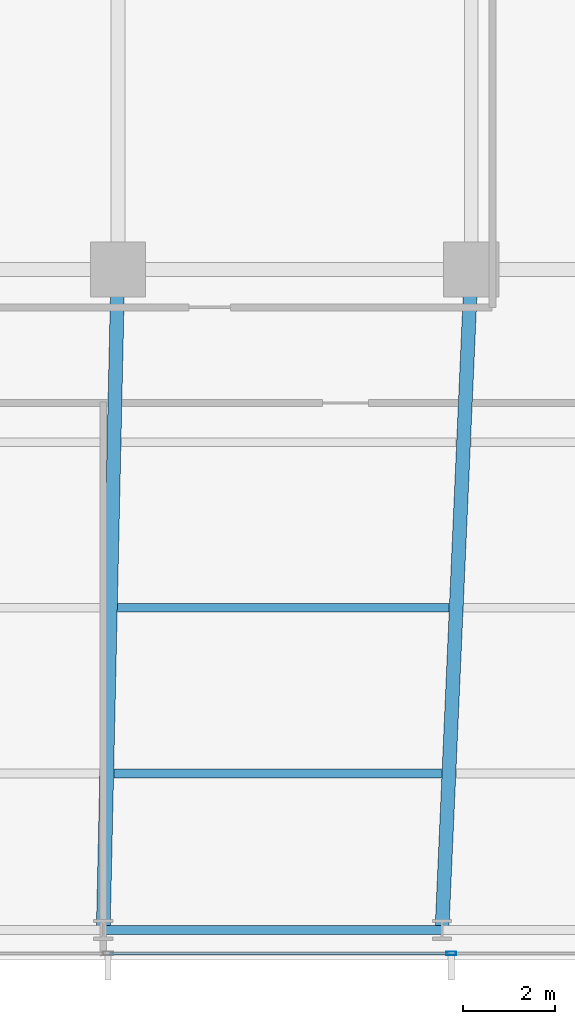
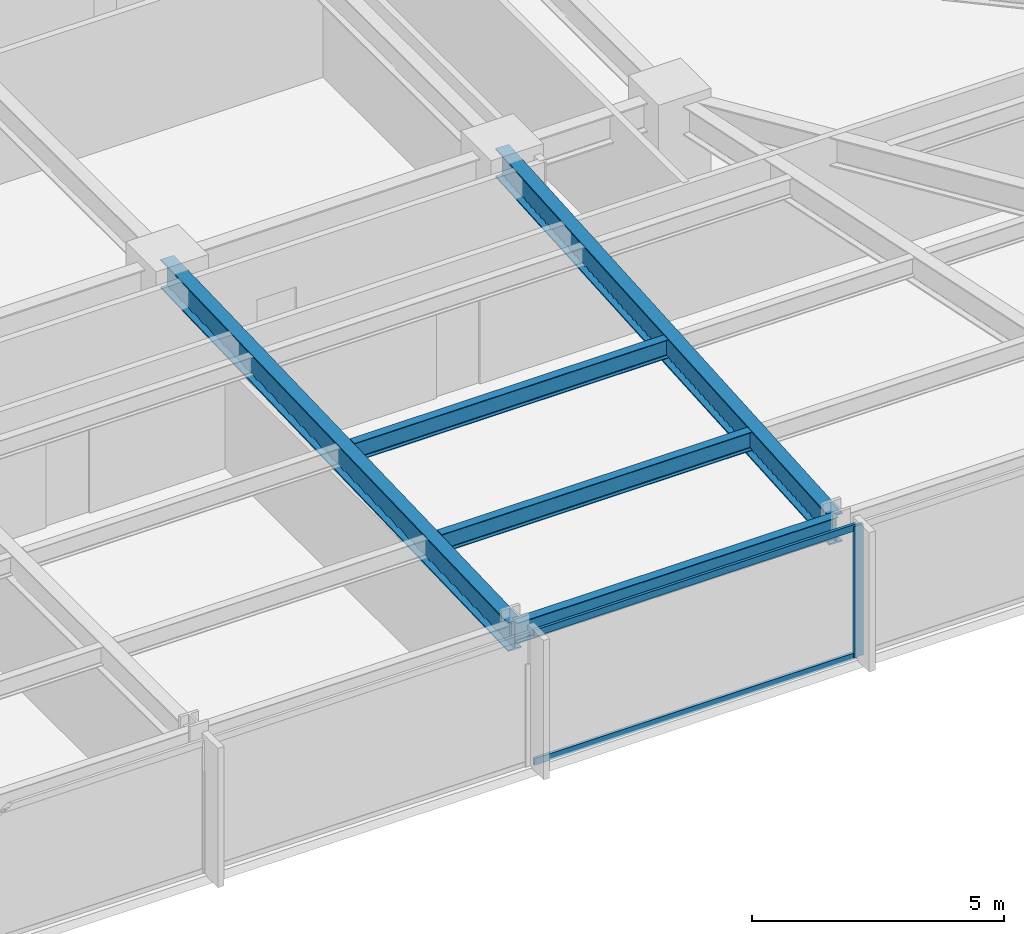
# One storey, part 12 of 33: 5 beams, 3 members, 1 element without a shape of its own.
"""IFC4 building model written with IfcOpenShell, lengths in metres."""

from ifc_helpers import new_model, si_unit, direction, frame, origin, origin_2d, place, context, subcontext, project, spatial, hollow_rectangle, i_section, extrude, material, material_profile, profile_set, type_object, element, aggregate, save


model = new_model("IFC4")

# Units and contexts
model_context = context("Model", 3, precision=1e-05, world=origin(), true_north=direction((0.0, 1.0)))
body_context = subcontext(model_context, "Body", "Model", "MODEL_VIEW")
ifc_project = project(units=[si_unit("LENGTHUNIT", "METRE"), si_unit("AREAUNIT", "SQUARE_METRE"), si_unit("VOLUMEUNIT", "CUBIC_METRE"), si_unit("PLANEANGLEUNIT", "RADIAN"), si_unit("MASSUNIT", "GRAM", prefix="KILO")], contexts=[model_context])

# Site, building, storey
site_placement = place(None, origin())
site = spatial("IfcSite", under=ifc_project, at=site_placement, CompositionType="ELEMENT")
building_placement = place(site_placement, origin())
building = spatial("IfcBuilding", under=site, at=building_placement, Name="Yelkora Congress Tower", CompositionType="ELEMENT")
storey_placement = place(building_placement, frame((0.0, 0.0, 47.39990234375)))
storey = spatial("IfcBuildingStorey", under=building, at=storey_placement, Name="L11", CompositionType="ELEMENT", Elevation=47.39990234375)

# Beams
ifc_material_1 = material(Name="Steel S355J2", Category="steel")
ifc_material_profile_1 = material_profile(ifc_material_1, i_section(OverallWidth=0.300048828125, OverallDepth=0.699951171875, WebThickness=0.01708984375, FlangeThickness=0.031982421875, FilletRadius=0.027099609375, at=origin_2d()), Name="HEB 700")
ifc_profile_set_1 = profile_set([ifc_material_profile_1], Name="Steel S355J2")
beam_type_1 = type_object("IfcBeamType", Name="BM-GIRD-HEB700", PredefinedType="BEAM", material=ifc_profile_set_1)
beam_1_placement = place(storey_placement, frame((45.762451171875, 10.85009765625, 2.830078125), z_axis=(0.022129088136, 0.999755121746, 0.0), x_axis=(-0.999755121746, 0.022129088136, 0.0)))
element("IfcBeam", 1, at=beam_1_placement, inside=storey, type_object=beam_type_1, Name="L11 Primary Frame Girder S06", PredefinedType="BEAM", context=body_context, shape_type="SweptSolid", body=[
    extrude(i_section(OverallWidth=0.300048828125, OverallDepth=0.699951171875, WebThickness=0.01708984375, FlangeThickness=0.031982421875, FilletRadius=0.027099609375, at=origin_2d()), origin(), (0.0, 0.0, 1.0), 14.353271484375),
])
beam_2_placement = place(storey_placement, frame((53.125, 10.85009765625, 2.830078125), z_axis=(0.044208738849, 0.999022315771, 0.0), x_axis=(-0.999022315771, 0.044208738849, 0.0)))
element("IfcBeam", 2, at=beam_2_placement, inside=storey, type_object=beam_type_1, Name="L11 Primary Frame Girder S07", PredefinedType="BEAM", context=body_context, shape_type="SweptSolid", body=[
    extrude(i_section(OverallWidth=0.300048828125, OverallDepth=0.699951171875, WebThickness=0.01708984375, FlangeThickness=0.031982421875, FilletRadius=0.027099609375, at=origin_2d()), origin(), (0.0, 0.0, 1.0), 14.364013671875),
])
ifc_material_profile_2 = material_profile(ifc_material_1, i_section(OverallWidth=0.18994140625, OverallDepth=0.449951171875, WebThickness=0.009521484375, FlangeThickness=0.0146484375, FilletRadius=0.02099609375, at=origin_2d()), Name="IPE 450")
ifc_profile_set_2 = profile_set([ifc_material_profile_2], Name="Steel S355J2")
beam_type_2 = type_object("IfcBeamType", Name="BM-JOIST-IPE450", PredefinedType="JOIST", material=ifc_profile_set_2)
beam_3_placement = place(storey_placement, frame((45.997802734375, 14.25, 2.955078125), z_axis=(1.0, 0.0, 0.0), x_axis=(0.0, 1.0, 0.0)))
element("IfcBeam", 3, at=beam_3_placement, inside=storey, type_object=beam_type_2, Name="L11 Composite Floor Joist 6", PredefinedType="JOIST", context=body_context, shape_type="SweptSolid", body=[
    extrude(i_section(OverallWidth=0.18994140625, OverallDepth=0.449951171875, WebThickness=0.009521484375, FlangeThickness=0.0146484375, FilletRadius=0.02099609375, at=origin_2d()), origin(), (0.0, 0.0, 1.0), 7.11767578125),
])
beam_4_placement = place(storey_placement, frame((46.077392578125, 17.85009765625, 2.955078125), z_axis=(1.0, 0.0, 0.0), x_axis=(0.0, 1.0, 0.0)))
element("IfcBeam", 4, at=beam_4_placement, inside=storey, type_object=beam_type_2, Name="L11 Composite Floor Joist 14", PredefinedType="JOIST", context=body_context, shape_type="SweptSolid", body=[
    extrude(i_section(OverallWidth=0.18994140625, OverallDepth=0.449951171875, WebThickness=0.009521484375, FlangeThickness=0.0146484375, FilletRadius=0.02099609375, at=origin_2d()), origin(), (0.0, 0.0, 1.0), 7.197509765625),
])
ifc_material_profile_3 = material_profile(ifc_material_1, i_section(OverallWidth=0.199951171875, OverallDepth=0.5, WebThickness=0.01025390625, FlangeThickness=0.01611328125, FilletRadius=0.02099609375, at=origin_2d()), Name="IPE 500")
ifc_profile_set_3 = profile_set([ifc_material_profile_3], Name="Steel S355J2")
beam_type_3 = type_object("IfcBeamType", Name="BM-SPAN-IPE500", PredefinedType="SPANDREL", material=ifc_profile_set_3)
beam_5_placement = place(storey_placement, frame((45.762451171875, 10.85009765625, 2.93017578125), z_axis=(1.0, 0.0, 0.0), x_axis=(0.0, 1.0, 0.0)))
element("IfcBeam", 5, at=beam_5_placement, inside=storey, type_object=beam_type_3, Name="L11 Perimeter Beam 7", PredefinedType="SPANDREL", context=body_context, shape_type="SweptSolid", body=[
    extrude(i_section(OverallWidth=0.199951171875, OverallDepth=0.5, WebThickness=0.01025390625, FlangeThickness=0.01611328125, FilletRadius=0.02099609375, at=origin_2d()), origin(), (0.0, 0.0, 1.0), 7.362548828125),
])

# Curtain wall, members
ifc_material_2 = material(Name="Anodised aluminium and insulated glass", Category="aluminium")
curtain_wall_type = type_object("IfcCurtainWallType", Name="CW-SYS-B1", PredefinedType="NOTDEFINED", material=ifc_material_2)
curtain_wall_placement = place(storey_placement, origin())
curtain_wall = element("IfcCurtainWall", 6, at=curtain_wall_placement, inside=storey, type_object=curtain_wall_type, Name="L11 Unitised Curtain Wall 20", PredefinedType="NOTDEFINED")
ifc_material_3 = material(Name="Anodised aluminium 6063-T6", Category="aluminium")
ifc_material_profile_4 = material_profile(ifc_material_3, hollow_rectangle(XDim=0.074951171875, YDim=0.219970703125, WallThickness=0.0048828125, at=origin_2d()), Name="ALU 75x220x5")
ifc_profile_set_4 = profile_set([ifc_material_profile_4], Name="Anodised aluminium 6063-T6")
member_type_1 = type_object("IfcMemberType", Name="MEM-ML-B1", PredefinedType="MULLION", material=ifc_profile_set_4)
member_1_placement = place(storey_placement, frame((53.330078125, 10.340087890625, 0.0), z_axis=(0.0, 0.0, 1.0), x_axis=(0.0, -1.0, 0.0)))
member_1 = element("IfcMember", 7, at=member_1_placement, type_object=member_type_1, Name="CW-B1 mullion 3", PredefinedType="MULLION", context=body_context, shape_type="SweptSolid", body=[
    extrude(hollow_rectangle(XDim=0.074951171875, YDim=0.219970703125, WallThickness=0.0048828125, at=origin_2d()), origin(), (0.0, 0.0, 1.0), 3.18017578125),
])
ifc_material_profile_5 = material_profile(ifc_material_3, hollow_rectangle(XDim=0.06494140625, YDim=0.159912109375, WallThickness=0.00390625, at=origin_2d()), Name="ALU 65x160x4")
ifc_profile_set_5 = profile_set([ifc_material_profile_5], Name="Anodised aluminium 6063-T6")
member_type_2 = type_object("IfcMemberType", Name="MEM-TR-B1", PredefinedType="USERDEFINED", material=ifc_profile_set_5)
member_2_placement = place(storey_placement, frame((53.29248046875, 10.340087890625, 0.03271484375), z_axis=(-1.0, 0.0, 0.0), x_axis=(0.0, -1.0, 0.0)))
member_2 = element("IfcMember", 8, at=member_2_placement, type_object=member_type_2, Name="CW-B1 transom 3.1", ObjectType="TRANSOM", PredefinedType="USERDEFINED", context=body_context, shape_type="SweptSolid", body=[
    extrude(hollow_rectangle(XDim=0.06494140625, YDim=0.159912109375, WallThickness=0.00390625, at=origin_2d()), origin(), (0.0, 0.0, 1.0), 7.389892578125),
])
member_3_placement = place(storey_placement, frame((53.29248046875, 10.340087890625, 3.147705078125), z_axis=(-1.0, 0.0, 0.0), x_axis=(0.0, -1.0, 0.0)))
member_3 = element("IfcMember", 9, at=member_3_placement, type_object=member_type_2, Name="CW-B1 transom 3.2", ObjectType="TRANSOM", PredefinedType="USERDEFINED", context=body_context, shape_type="SweptSolid", body=[
    extrude(hollow_rectangle(XDim=0.06494140625, YDim=0.159912109375, WallThickness=0.00390625, at=origin_2d()), origin(), (0.0, 0.0, 1.0), 7.389892578125),
])
aggregate(curtain_wall, [member_1, member_2, member_3])

save(model, "model.ifc")
